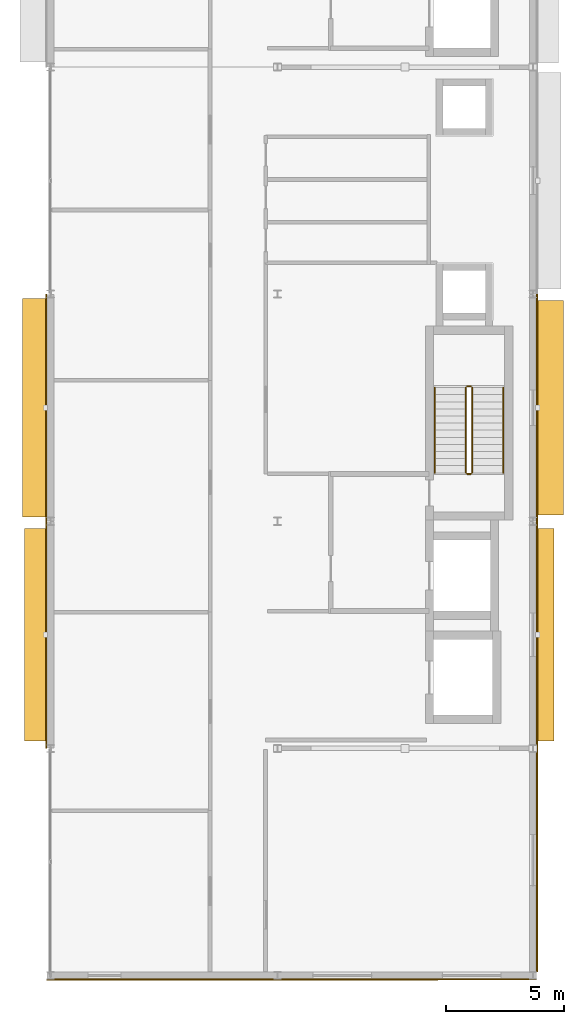
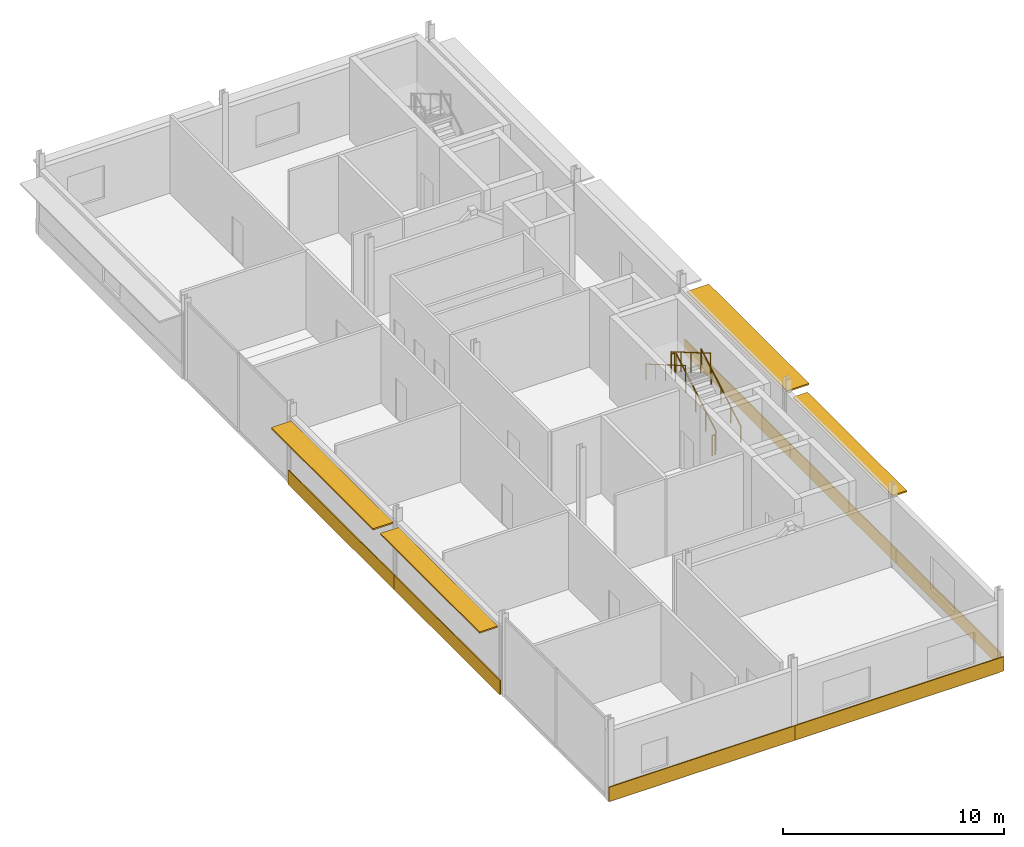
# One storey, part 9 of 10: 7 coverings, 6 railings, 4 shading devices.
"""IFC4 building model written with IfcOpenShell, lengths in metres."""

from ifc_helpers import new_model, si_unit, direction, frame, origin, origin_2d, place, context, subcontext, project, spatial, rectangle, circle, extrude, material, layer, layer_set, type_object, element, save


model = new_model("IFC4")

# Units and contexts
model_context = context("Model", 3, precision=1e-05, world=origin(), true_north=direction((0.0, 1.0)))
body_context = subcontext(model_context, "Body", "Model", "MODEL_VIEW")
ifc_project = project(units=[si_unit("LENGTHUNIT", "METRE"), si_unit("AREAUNIT", "SQUARE_METRE"), si_unit("VOLUMEUNIT", "CUBIC_METRE"), si_unit("PLANEANGLEUNIT", "RADIAN"), si_unit("MASSUNIT", "GRAM", prefix="KILO")], contexts=[model_context])

# Site, building, storey
site_placement = place(None, origin())
site = spatial("IfcSite", under=ifc_project, at=site_placement, CompositionType="ELEMENT")
building_placement = place(site_placement, origin())
building = spatial("IfcBuilding", under=site, at=building_placement, Name="Almandine Court Research Institute", CompositionType="ELEMENT")
storey_placement = place(building_placement, frame((0.0, 0.0, 41.64990234375)))
storey = spatial("IfcBuildingStorey", under=building, at=storey_placement, Name="L09", CompositionType="ELEMENT", Elevation=41.64990234375)

# Coverings
ifc_material_1 = material(Name="Extruded Cream-Ochre Seismic Terracotta Spandrel", Category="masonry")
ifc_layer_1 = layer(ifc_material_1, 0.054931640625)
ifc_layer_set_1 = layer_set([ifc_layer_1], Name="Extruded Cream-Ochre Seismic Terracotta Spandrel")
covering_type = type_object("IfcCoveringType", Name="Cov-CLAD-TERR", PredefinedType="CLADDING", material=ifc_layer_set_1)
for number, where, z_axis, x_axis, name in (
    (1, (153.428955078125, 20.39990234375, 0.02001953125), (0.0, 0.0, 1.0), (0.0, 1.0, 0.0), "L09 Facade Spandrel Cladding Band 240"),
    (2, (153.428955078125, 30.0, 0.02001953125), (0.0, 0.0, 1.0), (0.0, 1.0, 0.0), "L09 Facade Spandrel Cladding Band 241"),
    (3, (174.1708984375, 30.0, 0.02001953125), (0.0, 0.0, 1.0), (0.0, -1.0, 0.0), "L09 Facade Spandrel Cladding Band 247"),
    (4, (174.1708984375, 20.39990234375, 0.02001953125), (0.0, 0.0, 1.0), (0.0, -1.0, 0.0), "L09 Facade Spandrel Cladding Band 248"),
):
    element("IfcCovering", number, at=place(storey_placement, frame(where, z_axis=z_axis, x_axis=x_axis)), inside=storey, type_object=covering_type, Name=name, PredefinedType="CLADDING", context=body_context, shape_type="SweptSolid", body=[
        extrude(rectangle(XDim=9.592041015625, YDim=0.054931640625, at=origin_2d()), origin(), (0.0, 0.0, 1.0), 0.800048828125),
    ])
covering_1_placement = place(storey_placement, frame((174.1708984375, 10.873046875, 0.02001953125), z_axis=(0.0, 0.0, 1.0), x_axis=(0.0, -1.0, 0.0)))
element("IfcCovering", 5, at=covering_1_placement, inside=storey, type_object=covering_type, Name="L09 Facade Spandrel Cladding Band 249", PredefinedType="CLADDING", context=body_context, shape_type="SweptSolid", body=[
    extrude(rectangle(XDim=9.447021484375, YDim=0.054931640625, at=origin_2d()), origin(), (0.0, 0.0, 1.0), 0.800048828125),
])
covering_2_placement = place(storey_placement, frame((168.675048828125, 5.830078125, 0.02001953125), z_axis=(0.0, 0.0, 1.0), x_axis=(-1.0, 0.0, 0.0)))
element("IfcCovering", 6, at=covering_2_placement, inside=storey, type_object=covering_type, Name="L09 Facade Spandrel Cladding Band 250", PredefinedType="CLADDING", context=body_context, shape_type="SweptSolid", body=[
    extrude(rectangle(XDim=10.94091796875, YDim=0.054931640625, at=origin_2d()), origin(), (0.0, 0.0, 1.0), 0.800048828125),
])
covering_3_placement = place(storey_placement, frame((158.325927734375, 5.830078125, 0.02001953125), z_axis=(0.0, 0.0, 1.0), x_axis=(-1.0, 0.0, 0.0)))
element("IfcCovering", 7, at=covering_3_placement, inside=storey, type_object=covering_type, Name="L09 Facade Spandrel Cladding Band 251", PredefinedType="CLADDING", context=body_context, shape_type="SweptSolid", body=[
    extrude(rectangle(XDim=9.740966796875, YDim=0.054931640625, at=origin_2d()), origin(), (0.0, 0.0, 1.0), 0.800048828125),
])

# Railings
ifc_material_2 = material(Name="Powder-Coated Steel Stair and Atrium Balustrade", Category="steel")
railing_type_1 = type_object("IfcRailingType", Name="Rail-GUARD-INT", PredefinedType="BALUSTRADE", material=ifc_material_2)
railing_1_placement = place(storey_placement, frame((171.429931640625, 27.25, 0.175048828125)))
element("IfcRailing", 8, at=railing_1_placement, inside=storey, type_object=railing_type_1, Name="L09 ST-07 stair guard 1", PredefinedType="BALUSTRADE", context=body_context, shape_type="SweptSolid", body=[
    extrude(circle(Radius=0.02392578125, at=origin_2d()), frame((0.0, 0.0, 1.09619140625), z_axis=(0.0, 0.863774651768, 0.503878309678), x_axis=(-1.0, 0.0, 0.0)), (0.0, 0.0, 1.0), 4.16796875),
    extrude(circle(Radius=0.02099609375, at=origin_2d()), origin(), (0.0, 0.0, 1.0), 1.072021484375),
    extrude(circle(Radius=0.02099609375, at=origin_2d()), frame((0.0, 0.89990234375, 0.52490234375)), (0.0, 0.0, 1.0), 1.072021484375),
    extrude(circle(Radius=0.02099609375, at=origin_2d()), frame((0.0, 1.800048828125, 1.050048828125)), (0.0, 0.0, 1.0), 1.072021484375),
    extrude(circle(Radius=0.02099609375, at=origin_2d()), frame((0.0, 2.7001953125, 1.5751953125)), (0.0, 0.0, 1.0), 1.072021484375),
    extrude(circle(Radius=0.02099609375, at=origin_2d()), frame((0.0, 3.60009765625, 2.10009765625)), (0.0, 0.0, 1.0), 1.072021484375),
])
railing_2_placement = place(storey_placement, frame((171.3798828125, 30.89990234375, 2.275146484375)))
element("IfcRailing", 9, at=railing_2_placement, inside=storey, type_object=railing_type_1, Name="L09 ST-07 stair guard 2", PredefinedType="BALUSTRADE", context=body_context, shape_type="SweptSolid", body=[
    extrude(circle(Radius=0.02392578125, at=origin_2d()), frame((0.0, 0.0, 1.09619140625), z_axis=(-1.0, 0.0, 0.0), x_axis=(0.0, -1.0, 0.0)), (0.0, 0.0, 1.0), 0.159912109375),
    extrude(circle(Radius=0.02099609375, at=origin_2d()), origin(), (0.0, 0.0, 1.0), 1.072021484375),
    extrude(circle(Radius=0.02099609375, at=origin_2d()), frame((-0.159912109375, 0.0, 0.0)), (0.0, 0.0, 1.0), 1.072021484375),
])
railing_3_placement = place(storey_placement, frame((171.169921875, 30.85009765625, 2.4501953125)))
element("IfcRailing", 10, at=railing_3_placement, inside=storey, type_object=railing_type_1, Name="L09 ST-07 stair guard 3", PredefinedType="BALUSTRADE", context=body_context, shape_type="SweptSolid", body=[
    extrude(circle(Radius=0.02392578125, at=origin_2d()), frame((0.0, 0.0, 1.09619140625), z_axis=(0.0, -0.863800146258, 0.503834603144), x_axis=(1.0, 0.0, 0.0)), (0.0, 0.0, 1.0), 4.167724609375),
    extrude(circle(Radius=0.02099609375, at=origin_2d()), origin(), (0.0, 0.0, 1.0), 1.072021484375),
    extrude(circle(Radius=0.02099609375, at=origin_2d()), frame((0.0, -0.89990234375, 0.52490234375)), (0.0, 0.0, 1.0), 1.072021484375),
    extrude(circle(Radius=0.02099609375, at=origin_2d()), frame((0.0, -1.800048828125, 1.0498046875)), (0.0, 0.0, 1.0), 1.072021484375),
    extrude(circle(Radius=0.02099609375, at=origin_2d()), frame((0.0, -2.7001953125, 1.574951171875)), (0.0, 0.0, 1.0), 1.072021484375),
    extrude(circle(Radius=0.02099609375, at=origin_2d()), frame((0.0, -3.60009765625, 2.099853515625)), (0.0, 0.0, 1.0), 1.072021484375),
])
railing_4_placement = place(storey_placement, frame((171.3798828125, 27.199951171875, 0.0)))
element("IfcRailing", 11, at=railing_4_placement, inside=storey, type_object=railing_type_1, Name="L09 ST-07 stair guard 4", PredefinedType="BALUSTRADE", context=body_context, shape_type="SweptSolid", body=[
    extrude(circle(Radius=0.02392578125, at=origin_2d()), frame((0.0, 0.0, 1.09619140625), z_axis=(-1.0, 0.0, 0.0), x_axis=(0.0, -1.0, 0.0)), (0.0, 0.0, 1.0), 0.159912109375),
    extrude(circle(Radius=0.02099609375, at=origin_2d()), origin(), (0.0, 0.0, 1.0), 1.072021484375),
    extrude(circle(Radius=0.02099609375, at=origin_2d()), frame((-0.159912109375, 0.0, 0.0)), (0.0, 0.0, 1.0), 1.072021484375),
])
ifc_material_3 = material(Name="Brushed Stainless Steel Wall Handrail", Category="steel")
railing_type_2 = type_object("IfcRailingType", Name="Rail-HAND-INT", PredefinedType="HANDRAIL", material=ifc_material_3)
railing_5_placement = place(storey_placement, frame((172.75, 27.25, 0.175048828125)))
element("IfcRailing", 12, at=railing_5_placement, inside=storey, type_object=railing_type_2, Name="L09 ST-07 stair handrail 1", PredefinedType="HANDRAIL", context=body_context, shape_type="SweptSolid", body=[
    extrude(circle(Radius=0.02392578125, at=origin_2d()), frame((0.0, 0.0, 0.8759765625), z_axis=(0.0, 0.863774651768, 0.503878309678), x_axis=(-1.0, 0.0, 0.0)), (0.0, 0.0, 1.0), 4.16796875),
    extrude(circle(Radius=0.02099609375, at=origin_2d()), origin(), (0.0, 0.0, 1.0), 0.851806640625),
    extrude(circle(Radius=0.02099609375, at=origin_2d()), frame((0.0, 0.89990234375, 0.52490234375)), (0.0, 0.0, 1.0), 0.851806640625),
    extrude(circle(Radius=0.02099609375, at=origin_2d()), frame((0.0, 1.800048828125, 1.050048828125)), (0.0, 0.0, 1.0), 0.851806640625),
    extrude(circle(Radius=0.02099609375, at=origin_2d()), frame((0.0, 2.7001953125, 1.5751953125)), (0.0, 0.0, 1.0), 0.851806640625),
    extrude(circle(Radius=0.02099609375, at=origin_2d()), frame((0.0, 3.60009765625, 2.10009765625)), (0.0, 0.0, 1.0), 0.851806640625),
])
railing_6_placement = place(storey_placement, frame((169.85009765625, 30.85009765625, 2.4501953125)))
element("IfcRailing", 13, at=railing_6_placement, inside=storey, type_object=railing_type_2, Name="L09 ST-07 stair handrail 2", PredefinedType="HANDRAIL", context=body_context, shape_type="SweptSolid", body=[
    extrude(circle(Radius=0.02392578125, at=origin_2d()), frame((0.0, 0.0, 0.8759765625), z_axis=(0.0, -0.863800146258, 0.503834603144), x_axis=(1.0, 0.0, 0.0)), (0.0, 0.0, 1.0), 4.167724609375),
    extrude(circle(Radius=0.02099609375, at=origin_2d()), origin(), (0.0, 0.0, 1.0), 0.851806640625),
    extrude(circle(Radius=0.02099609375, at=origin_2d()), frame((0.0, -0.89990234375, 0.52490234375)), (0.0, 0.0, 1.0), 0.851806640625),
    extrude(circle(Radius=0.02099609375, at=origin_2d()), frame((0.0, -1.800048828125, 1.0498046875)), (0.0, 0.0, 1.0), 0.851806640625),
    extrude(circle(Radius=0.02099609375, at=origin_2d()), frame((0.0, -2.7001953125, 1.574951171875)), (0.0, 0.0, 1.0), 0.851806640625),
    extrude(circle(Radius=0.02099609375, at=origin_2d()), frame((0.0, -3.60009765625, 2.099853515625)), (0.0, 0.0, 1.0), 0.851806640625),
])

# Shading devices
ifc_material_4 = material(Name="Precast GFRC Chhajja Sunshade and Acoustic Louvre", Category="concrete")
ifc_layer_2 = layer(ifc_material_4, 0.080078125)
ifc_layer_set_2 = layer_set([ifc_layer_2], Name="Precast GFRC Chhajja Sunshade and Acoustic Louvre")
shading_device_type_1 = type_object("IfcShadingDeviceType", Name="Shd-SD-02", PredefinedType="AWNING", material=ifc_layer_set_2)
shading_device_1_placement = place(storey_placement, frame((152.93994140625, 30.0, 3.551025390625), z_axis=(0.0, 0.0, 1.0), x_axis=(0.0, 1.0, 0.0)))
element("IfcShadingDevice", 14, at=shading_device_1_placement, inside=storey, type_object=shading_device_type_1, Name="L09 Projecting Chhajja Sunshade 168", PredefinedType="AWNING", context=body_context, shape_type="SweptSolid", body=[
    extrude(rectangle(XDim=9.241943359375, YDim=1.050048828125, at=origin_2d()), origin(), (0.0, 0.0, 1.0), 0.080078125),
])
ifc_layer_3 = layer(ifc_material_4, 0.080078125)
ifc_layer_set_3 = layer_set([ifc_layer_3], Name="Precast GFRC Chhajja Sunshade and Acoustic Louvre")
shading_device_type_2 = type_object("IfcShadingDeviceType", Name="Shd-SD-14", PredefinedType="AWNING", material=ifc_layer_set_3)
shading_device_2_placement = place(storey_placement, frame((174.510009765625, 20.39990234375, 3.5419921875), z_axis=(0.0, 0.0, 1.0), x_axis=(0.0, -1.0, 0.0)))
element("IfcShadingDevice", 15, at=shading_device_2_placement, inside=storey, type_object=shading_device_type_2, Name="L09 Projecting Chhajja Sunshade 175", PredefinedType="AWNING", context=body_context, shape_type="SweptSolid", body=[
    extrude(rectangle(XDim=9.001953125, YDim=0.75, at=origin_2d()), origin(), (0.0, 0.0, 1.0), 0.080078125),
])
ifc_layer_4 = layer(ifc_material_4, 0.080078125)
ifc_layer_set_4 = layer_set([ifc_layer_4], Name="Precast GFRC Chhajja Sunshade and Acoustic Louvre")
shading_device_type_3 = type_object("IfcShadingDeviceType", Name="Shd-SD-17", PredefinedType="AWNING", material=ifc_layer_set_4)
shading_device_3_placement = place(storey_placement, frame((174.7099609375, 30.0, 3.5419921875), z_axis=(0.0, 0.0, 1.0), x_axis=(0.0, -1.0, 0.0)))
element("IfcShadingDevice", 16, at=shading_device_3_placement, inside=storey, type_object=shading_device_type_3, Name="L09 Projecting Chhajja Sunshade 174", PredefinedType="AWNING", context=body_context, shape_type="SweptSolid", body=[
    extrude(rectangle(XDim=9.08203125, YDim=1.14990234375, at=origin_2d()), origin(), (0.0, 0.0, 1.0), 0.080078125),
])
ifc_layer_5 = layer(ifc_material_4, 0.080078125)
ifc_layer_set_5 = layer_set([ifc_layer_5], Name="Precast GFRC Chhajja Sunshade and Acoustic Louvre")
shading_device_type_4 = type_object("IfcShadingDeviceType", Name="Shd-SD-58", PredefinedType="AWNING", material=ifc_layer_set_5)
shading_device_4_placement = place(storey_placement, frame((152.989990234375, 20.39990234375, 3.551025390625), z_axis=(0.0, 0.0, 1.0), x_axis=(0.0, 1.0, 0.0)))
element("IfcShadingDevice", 17, at=shading_device_4_placement, inside=storey, type_object=shading_device_type_4, Name="L09 Projecting Chhajja Sunshade 167", PredefinedType="AWNING", context=body_context, shape_type="SweptSolid", body=[
    extrude(rectangle(XDim=9.001953125, YDim=0.949951171875, at=origin_2d()), origin(), (0.0, 0.0, 1.0), 0.080078125),
])

save(model, "model.ifc")
